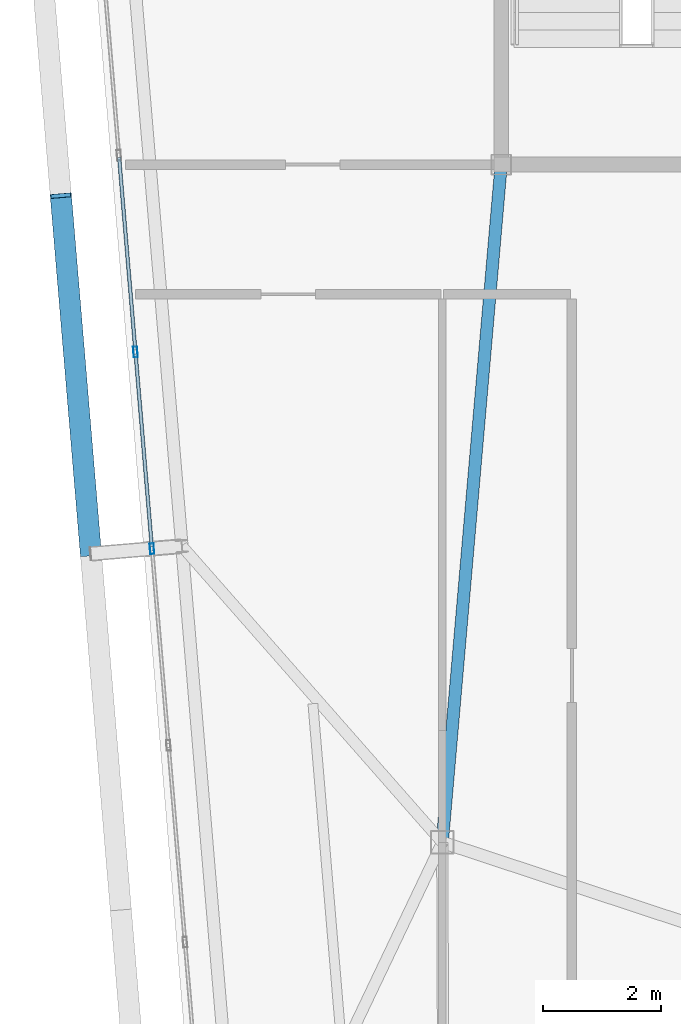
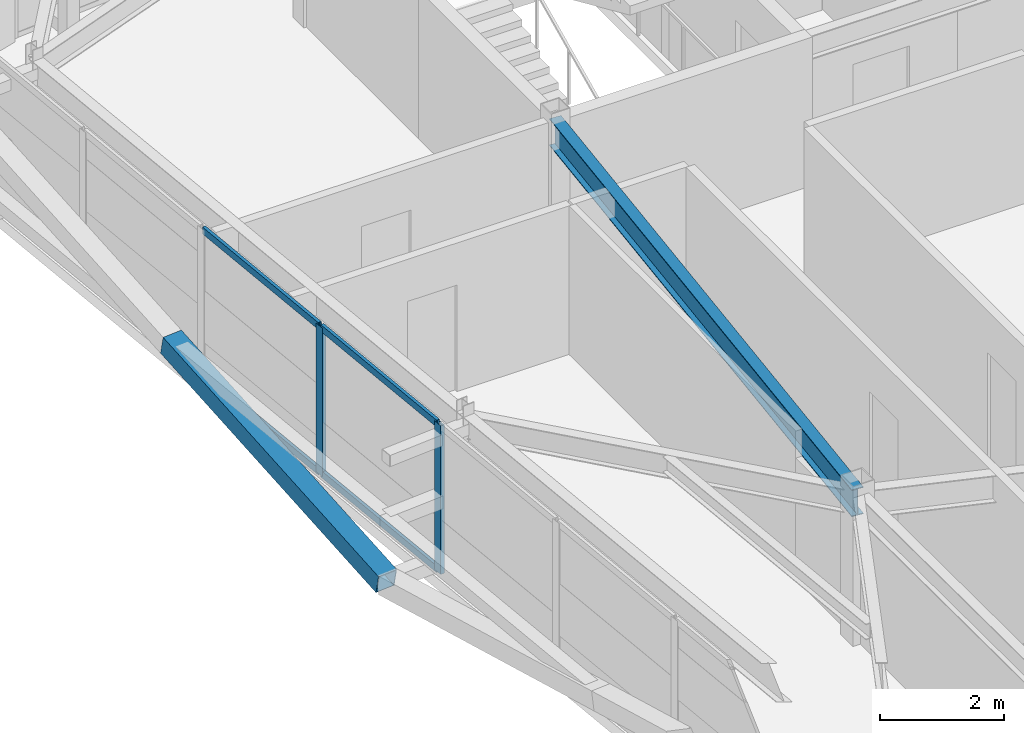
# One storey, part 14 of 46: 7 members, 1 beam, 1 element without a shape of its own.
"""IFC4 building model written with IfcOpenShell, lengths in metres."""

from ifc_helpers import new_model, si_unit, direction, frame, origin, origin_2d, place, context, subcontext, project, spatial, hollow_rectangle, i_section, extrude, source, transform, mapped, material, layer, layer_set, material_profile, profile_set, type_object, element, aggregate, save


model = new_model("IFC4")

# Units and contexts
model_context = context("Model", 3, precision=1e-05, world=origin(), true_north=direction((0.0, 1.0)))
body_context = subcontext(model_context, "Body", "Model", "MODEL_VIEW")
ifc_project = project(units=[si_unit("LENGTHUNIT", "METRE"), si_unit("AREAUNIT", "SQUARE_METRE"), si_unit("VOLUMEUNIT", "CUBIC_METRE"), si_unit("PLANEANGLEUNIT", "RADIAN"), si_unit("MASSUNIT", "GRAM", prefix="KILO")], contexts=[model_context])

# Site, building, storey
site_placement = place(None, origin())
site = spatial("IfcSite", under=ifc_project, at=site_placement, CompositionType="ELEMENT")
building_placement = place(site_placement, origin())
building = spatial("IfcBuilding", under=site, at=building_placement, Name="Taldren Reach Tower", CompositionType="ELEMENT")
storey_placement = place(building_placement, frame((0.0, 0.0, 194.60009765625)))
storey = spatial("IfcBuildingStorey", under=building, at=storey_placement, Name="L59", CompositionType="ELEMENT", Elevation=194.60009765625)

# Beam
ifc_material_1 = material(Name="Steel Gr 350 (350PLUS)", Category="steel")
ifc_material_profile_1 = material_profile(ifc_material_1, i_section(OverallWidth=0.208984375, OverallDepth=0.532958984375, WebThickness=0.01025390625, FlangeThickness=0.015625, at=origin_2d()), Name="530UB92.4")
ifc_profile_set_1 = profile_set([ifc_material_profile_1], Name="Steel Gr 350 (350PLUS)")
beam_type = type_object("IfcBeamType", Name="BM-UB530A", PredefinedType="BEAM", material=ifc_profile_set_1)
shared_shape_1 = source(origin(), body_context, "Body", "SweptSolid", [
    extrude(i_section(OverallWidth=0.208984375, OverallDepth=0.532958984375, WebThickness=0.01025390625, FlangeThickness=0.015625, at=origin_2d()), origin(), (0.0, 0.0, 1.0), 11.54345703125),
])
beam_placement = place(storey_placement, frame((19.0, 24.0, 2.663330078125), z_axis=(-0.086629616365, -0.996240588196, 0.0), x_axis=(0.996240588196, -0.086629616365, 0.0)))
element("IfcBeam", 1, at=beam_placement, inside=storey, type_object=beam_type, Name="Core-spine girder L59-SP09", PredefinedType="BEAM", context=body_context, shape_type="MappedRepresentation", body=[
    mapped(shared_shape_1, transform((0.0, 0.0, 0.0), scale=1.0)),
])

# Member
ifc_material_2 = material(Name="Steel Gr 450 (C450L0)", Category="steel")
ifc_material_profile_2 = material_profile(ifc_material_2, hollow_rectangle(XDim=0.360107421875, YDim=0.360107421875, WallThickness=0.0126953125, at=origin_2d()), Name="360x360x12.7SHS")
ifc_profile_set_2 = profile_set([ifc_material_profile_2], Name="Steel Gr 450 (C450L0)")
member_type_1 = type_object("IfcMemberType", Name="MB-EXO356", PredefinedType="BRACE", material=ifc_profile_set_2)
shared_shape_2 = source(origin(), body_context, "Body", "SweptSolid", [
    extrude(hollow_rectangle(XDim=0.360107421875, YDim=0.360107421875, WallThickness=0.0126953125, at=origin_2d()), origin(), (0.0, 0.0, 1.0), 6.2197265625),
])
member_1_placement = place(storey_placement, frame((12.0380859375, 17.3955078125, 0.219970703125), z_axis=(-0.082037206294, 0.977302565702, 0.195319205034), x_axis=(-0.996495340012, -0.08364829547, 0.0)))
element("IfcMember", 2, at=member_1_placement, inside=storey, type_object=member_type_1, Name="Exoskeleton Diagrid Brace B4-W2 L59", PredefinedType="BRACE", context=body_context, shape_type="MappedRepresentation", body=[
    mapped(shared_shape_2, transform((0.0, 0.0, 0.0), scale=1.0)),
])

# Curtain wall, members
ifc_material_3 = material(Name="Aluminium and Low-E Glass Unitised System", Category="aluminium")
ifc_layer = layer(ifc_material_3, 0.159912109375)
ifc_layer_set = layer_set([ifc_layer], Name="Aluminium and Low-E Glass Unitised System")
curtain_wall_type = type_object("IfcCurtainWallType", Name="CW-SYS-5", PredefinedType="NOTDEFINED", material=ifc_layer_set)
curtain_wall_placement = place(storey_placement, origin())
curtain_wall = element("IfcCurtainWall", 3, at=curtain_wall_placement, inside=storey, type_object=curtain_wall_type, Name="Unitised curtain wall CW-L59-W", PredefinedType="NOTDEFINED")
ifc_material_4 = material(Name="Anodised Aluminium 6063-T6", Category="aluminium")
ifc_material_profile_3 = material_profile(ifc_material_4, hollow_rectangle(XDim=0.070068359375, YDim=0.179931640625, WallThickness=0.00390625, at=origin_2d()), Name="ALU-180x70x4RHS")
ifc_profile_set_3 = profile_set([ifc_material_profile_3], Name="Anodised Aluminium 6063-T6")
member_type_2 = type_object("IfcMemberType", Name="CW-MUL-180", PredefinedType="MULLION", material=ifc_profile_set_3)
shared_shape_3 = source(origin(), body_context, "Body", "SweptSolid", [
    extrude(hollow_rectangle(XDim=0.070068359375, YDim=0.179931640625, WallThickness=0.00390625, at=origin_2d()), origin(), (0.0, 0.0, 1.0), 2.929931640625),
])
member_2_placement = place(storey_placement, frame((12.794189453125, 20.82080078125, 0.0), z_axis=(0.0, 0.0, 1.0), x_axis=(0.996492847789, 0.083677979808, 0.0)))
member_2 = element("IfcMember", 4, at=member_2_placement, type_object=member_type_2, Name="CW-5 mullion 4", PredefinedType="MULLION", context=body_context, shape_type="MappedRepresentation", body=[
    mapped(shared_shape_3, transform((0.0, 0.0, 0.0), scale=1.0)),
])
member_3_placement = place(storey_placement, frame((13.074462890625, 17.482421875, 0.0), z_axis=(0.0, 0.0, 1.0), x_axis=(0.996492847789, 0.083677979808, 0.0)))
member_3 = element("IfcMember", 5, at=member_3_placement, type_object=member_type_2, Name="CW-5 mullion 5", PredefinedType="MULLION", context=body_context, shape_type="MappedRepresentation", body=[
    mapped(shared_shape_3, transform((0.0, 0.0, 0.0), scale=1.0)),
])
ifc_material_profile_4 = material_profile(ifc_material_4, hollow_rectangle(XDim=0.06005859375, YDim=0.135009765625, WallThickness=0.00341796875, at=origin_2d()), Name="ALU-135x60x3.5RHS")
ifc_profile_set_4 = profile_set([ifc_material_profile_4], Name="Anodised Aluminium 6063-T6")
member_type_3 = type_object("IfcMemberType", Name="CW-TRN-150", PredefinedType="USERDEFINED", material=ifc_profile_set_4)
shared_shape_4 = source(origin(), body_context, "Body", "SweptSolid", [
    extrude(hollow_rectangle(XDim=0.06005859375, YDim=0.135009765625, WallThickness=0.00341796875, at=origin_2d()), origin(), (0.0, 0.0, 1.0), 3.280029296875),
])
member_4_placement = place(storey_placement, frame((12.516845703125, 24.124267578125, 0.02978515625), z_axis=(0.083661452101, -0.996494235524, 0.0), x_axis=(0.996494235524, 0.083661452101, 0.0)))
member_4 = element("IfcMember", 6, at=member_4_placement, type_object=member_type_3, Name="CW-5 transom 3.1", ObjectType="TRANSOM", PredefinedType="USERDEFINED", context=body_context, shape_type="MappedRepresentation", body=[
    mapped(shared_shape_4, transform((0.0, 0.0, 0.0), scale=1.0)),
])
member_5_placement = place(storey_placement, frame((12.516845703125, 24.124267578125, 2.89990234375), z_axis=(0.083661452101, -0.996494235524, 0.0), x_axis=(0.996494235524, 0.083661452101, 0.0)))
member_5 = element("IfcMember", 7, at=member_5_placement, type_object=member_type_3, Name="CW-5 transom 3.2", ObjectType="TRANSOM", PredefinedType="USERDEFINED", context=body_context, shape_type="MappedRepresentation", body=[
    mapped(shared_shape_4, transform((0.0, 0.0, 0.0), scale=1.0)),
])
member_6_placement = place(storey_placement, frame((12.797119140625, 20.785888671875, 0.02978515625), z_axis=(0.083661452101, -0.996494235524, 0.0), x_axis=(0.996494235524, 0.083661452101, 0.0)))
member_6 = element("IfcMember", 8, at=member_6_placement, type_object=member_type_3, Name="CW-5 transom 4.1", ObjectType="TRANSOM", PredefinedType="USERDEFINED", context=body_context, shape_type="MappedRepresentation", body=[
    mapped(shared_shape_4, transform((0.0, 0.0, 0.0), scale=1.0)),
])
member_7_placement = place(storey_placement, frame((12.797119140625, 20.785888671875, 2.89990234375), z_axis=(0.083661452101, -0.996494235524, 0.0), x_axis=(0.996494235524, 0.083661452101, 0.0)))
member_7 = element("IfcMember", 9, at=member_7_placement, type_object=member_type_3, Name="CW-5 transom 4.2", ObjectType="TRANSOM", PredefinedType="USERDEFINED", context=body_context, shape_type="MappedRepresentation", body=[
    mapped(shared_shape_4, transform((0.0, 0.0, 0.0), scale=1.0)),
])
aggregate(curtain_wall, [member_2, member_3, member_4, member_5, member_6, member_7])

save(model, "model.ifc")
